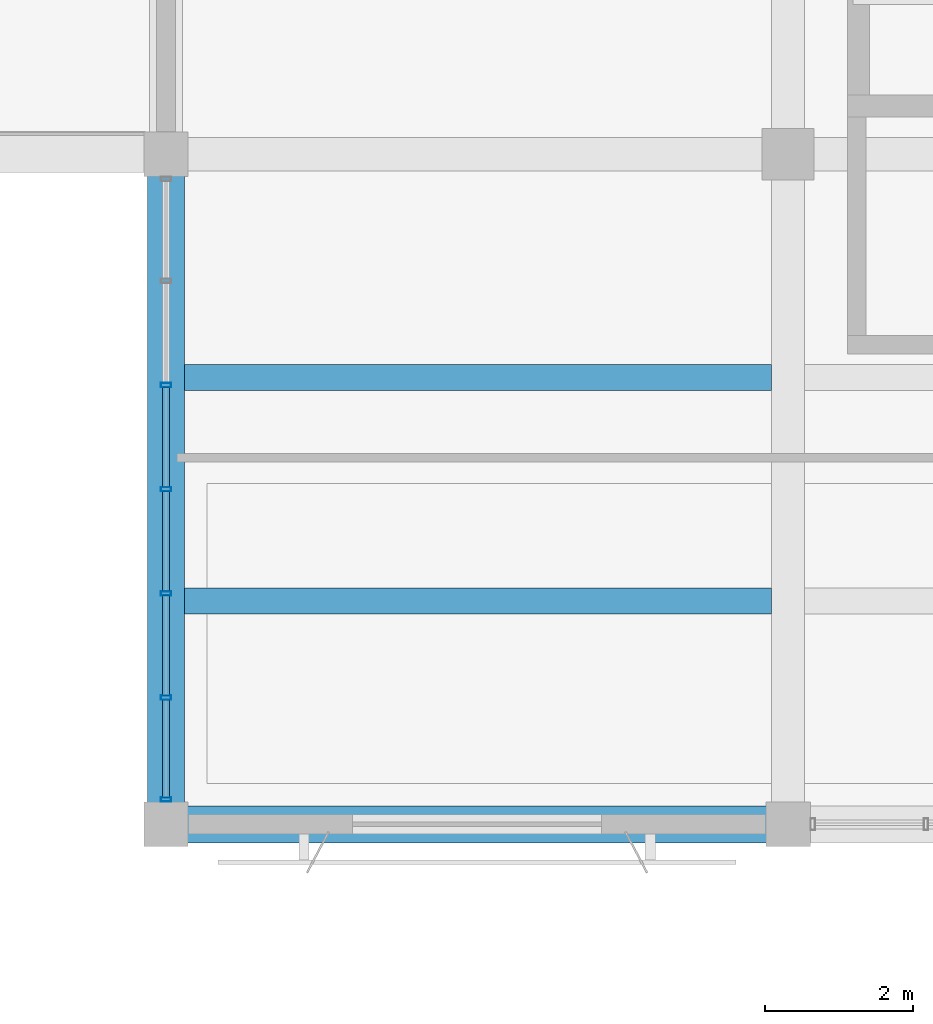
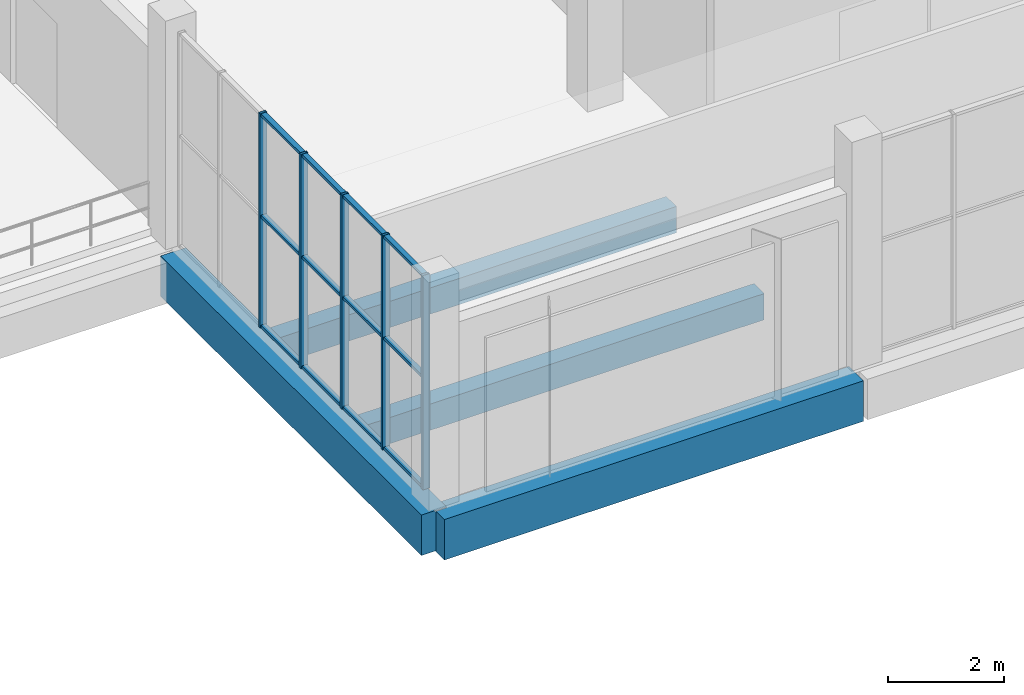
# One storey, part 27 of 80: 17 members, 4 beams, 1 element without a shape of its own.
"""IFC4 building model written with IfcOpenShell, lengths in metres."""

from ifc_helpers import new_model, si_unit, direction, frame, origin, origin_2d, place, context, subcontext, project, spatial, rectangle, hollow_rectangle, extrude, material, material_profile, profile_set, type_object, element, aggregate, save


model = new_model("IFC4")

# Units and contexts
model_context = context("Model", 3, precision=1e-05, world=origin(), true_north=direction((0.0, 1.0)))
body_context = subcontext(model_context, "Body", "Model", "MODEL_VIEW")
ifc_project = project(units=[si_unit("LENGTHUNIT", "METRE"), si_unit("AREAUNIT", "SQUARE_METRE"), si_unit("VOLUMEUNIT", "CUBIC_METRE"), si_unit("PLANEANGLEUNIT", "RADIAN"), si_unit("MASSUNIT", "GRAM", prefix="KILO")], contexts=[model_context])

# Site, building, storey
site_placement = place(None, origin())
site = spatial("IfcSite", under=ifc_project, at=site_placement, CompositionType="ELEMENT")
building_placement = place(site_placement, origin())
building = spatial("IfcBuilding", under=site, at=building_placement, Name="Khurvash Pelagic Aquarium", CompositionType="ELEMENT")
storey_placement = place(building_placement, frame((0.0, 0.0, 10.800048828125)))
storey = spatial("IfcBuildingStorey", under=building, at=storey_placement, Name="L02", CompositionType="ELEMENT", Elevation=10.800048828125)

# Curtain wall, members
ifc_material_1 = material(Name="Anodised aluminium and low-E laminated glass", Category="aluminium")
curtain_wall_type = type_object("IfcCurtainWallType", Name="CW-03", PredefinedType="USERDEFINED", material=ifc_material_1)
curtain_wall_placement = place(storey_placement, origin())
curtain_wall = element("IfcCurtainWall", 1, at=curtain_wall_placement, inside=storey, type_object=curtain_wall_type, Name="L02 Facade Unitised Curtain Wall CW-03 0169", ObjectType="UNITISED CURTAIN WALL", PredefinedType="USERDEFINED")
ifc_material_2 = material(Name="Extruded aluminium AW-6063-T6", Category="aluminium")
ifc_material_profile_1 = material_profile(ifc_material_2, hollow_rectangle(XDim=0.06005859375, YDim=0.139892578125, WallThickness=0.00390625, at=origin_2d()), Name="CWM60X140X4")
ifc_profile_set_1 = profile_set([ifc_material_profile_1], Name="Extruded aluminium AW-6063-T6")
member_type_1 = type_object("IfcMemberType", Name="CM-03", PredefinedType="MULLION", material=ifc_profile_set_1)
member_1_placement = place(storey_placement, frame((58.800048828125, 89.981689453125, 0.0), z_axis=(0.0, 0.0, 1.0), x_axis=(0.0, -1.0, 0.0)))
member_1 = element("IfcMember", 2, at=member_1_placement, type_object=member_type_1, Name="CW-03 mullion 3", PredefinedType="MULLION", context=body_context, shape_type="SweptSolid", body=[
    extrude(hollow_rectangle(XDim=0.06005859375, YDim=0.139892578125, WallThickness=0.00390625, at=origin_2d()), origin(), (0.0, 0.0, 1.0), 4.5),
])
member_2_placement = place(storey_placement, frame((58.800048828125, 88.574951171875, 0.0), z_axis=(0.0, 0.0, 1.0), x_axis=(0.0, -1.0, 0.0)))
member_2 = element("IfcMember", 3, at=member_2_placement, type_object=member_type_1, Name="CW-03 mullion 4", PredefinedType="MULLION", context=body_context, shape_type="SweptSolid", body=[
    extrude(hollow_rectangle(XDim=0.06005859375, YDim=0.139892578125, WallThickness=0.00390625, at=origin_2d()), origin(), (0.0, 0.0, 1.0), 4.5),
])
member_3_placement = place(storey_placement, frame((58.800048828125, 87.168212890625, 0.0), z_axis=(0.0, 0.0, 1.0), x_axis=(0.0, -1.0, 0.0)))
member_3 = element("IfcMember", 4, at=member_3_placement, type_object=member_type_1, Name="CW-03 mullion 5", PredefinedType="MULLION", context=body_context, shape_type="SweptSolid", body=[
    extrude(hollow_rectangle(XDim=0.06005859375, YDim=0.139892578125, WallThickness=0.00390625, at=origin_2d()), origin(), (0.0, 0.0, 1.0), 4.5),
])
member_4_placement = place(storey_placement, frame((58.800048828125, 85.76171875, 0.0), z_axis=(0.0, 0.0, 1.0), x_axis=(0.0, -1.0, 0.0)))
member_4 = element("IfcMember", 5, at=member_4_placement, type_object=member_type_1, Name="CW-03 mullion 6", PredefinedType="MULLION", context=body_context, shape_type="SweptSolid", body=[
    extrude(hollow_rectangle(XDim=0.06005859375, YDim=0.139892578125, WallThickness=0.00390625, at=origin_2d()), origin(), (0.0, 0.0, 1.0), 4.5),
])
member_5_placement = place(storey_placement, frame((58.800048828125, 84.385009765625, 0.0), z_axis=(0.0, 0.0, 1.0), x_axis=(0.0, -1.0, 0.0)))
member_5 = element("IfcMember", 6, at=member_5_placement, type_object=member_type_1, Name="CW-03 mullion 7", PredefinedType="MULLION", context=body_context, shape_type="SweptSolid", body=[
    extrude(hollow_rectangle(XDim=0.06005859375, YDim=0.139892578125, WallThickness=0.00390625, at=origin_2d()), origin(), (0.0, 0.0, 1.0), 4.5),
])
ifc_material_profile_2 = material_profile(ifc_material_2, hollow_rectangle(XDim=0.10009765625, YDim=0.06005859375, WallThickness=0.00390625, at=origin_2d()), Name="CWT100X60X4")
ifc_profile_set_2 = profile_set([ifc_material_profile_2], Name="Extruded aluminium AW-6063-T6")
member_type_2 = type_object("IfcMemberType", Name="CT-03", PredefinedType="USERDEFINED", material=ifc_profile_set_2)
member_6_placement = place(storey_placement, frame((58.800048828125, 89.95166015625, 0.030029296875), z_axis=(0.0, -1.0, 0.0), x_axis=(1.0, 0.0, 0.0)))
member_6 = element("IfcMember", 7, at=member_6_placement, type_object=member_type_2, Name="CW-03 transom 3.1", ObjectType="TRANSOM", PredefinedType="USERDEFINED", context=body_context, shape_type="SweptSolid", body=[
    extrude(hollow_rectangle(XDim=0.10009765625, YDim=0.06005859375, WallThickness=0.00390625, at=origin_2d()), origin(), (0.0, 0.0, 1.0), 1.3466796875),
])
member_7_placement = place(storey_placement, frame((58.800048828125, 89.95166015625, 2.33984375), z_axis=(0.0, -1.0, 0.0), x_axis=(1.0, 0.0, 0.0)))
member_7 = element("IfcMember", 8, at=member_7_placement, type_object=member_type_2, Name="CW-03 transom 3.2", ObjectType="TRANSOM", PredefinedType="USERDEFINED", context=body_context, shape_type="SweptSolid", body=[
    extrude(hollow_rectangle(XDim=0.10009765625, YDim=0.06005859375, WallThickness=0.00390625, at=origin_2d()), origin(), (0.0, 0.0, 1.0), 1.3466796875),
])
member_8_placement = place(storey_placement, frame((58.800048828125, 89.95166015625, 4.469970703125), z_axis=(0.0, -1.0, 0.0), x_axis=(1.0, 0.0, 0.0)))
member_8 = element("IfcMember", 9, at=member_8_placement, type_object=member_type_2, Name="CW-03 transom 3.3", ObjectType="TRANSOM", PredefinedType="USERDEFINED", context=body_context, shape_type="SweptSolid", body=[
    extrude(hollow_rectangle(XDim=0.10009765625, YDim=0.06005859375, WallThickness=0.00390625, at=origin_2d()), origin(), (0.0, 0.0, 1.0), 1.3466796875),
])
member_9_placement = place(storey_placement, frame((58.800048828125, 88.544921875, 0.030029296875), z_axis=(0.0, -1.0, 0.0), x_axis=(1.0, 0.0, 0.0)))
member_9 = element("IfcMember", 10, at=member_9_placement, type_object=member_type_2, Name="CW-03 transom 4.1", ObjectType="TRANSOM", PredefinedType="USERDEFINED", context=body_context, shape_type="SweptSolid", body=[
    extrude(hollow_rectangle(XDim=0.10009765625, YDim=0.06005859375, WallThickness=0.00390625, at=origin_2d()), origin(), (0.0, 0.0, 1.0), 1.3466796875),
])
member_10_placement = place(storey_placement, frame((58.800048828125, 88.544921875, 2.33984375), z_axis=(0.0, -1.0, 0.0), x_axis=(1.0, 0.0, 0.0)))
member_10 = element("IfcMember", 11, at=member_10_placement, type_object=member_type_2, Name="CW-03 transom 4.2", ObjectType="TRANSOM", PredefinedType="USERDEFINED", context=body_context, shape_type="SweptSolid", body=[
    extrude(hollow_rectangle(XDim=0.10009765625, YDim=0.06005859375, WallThickness=0.00390625, at=origin_2d()), origin(), (0.0, 0.0, 1.0), 1.3466796875),
])
member_11_placement = place(storey_placement, frame((58.800048828125, 88.544921875, 4.469970703125), z_axis=(0.0, -1.0, 0.0), x_axis=(1.0, 0.0, 0.0)))
member_11 = element("IfcMember", 12, at=member_11_placement, type_object=member_type_2, Name="CW-03 transom 4.3", ObjectType="TRANSOM", PredefinedType="USERDEFINED", context=body_context, shape_type="SweptSolid", body=[
    extrude(hollow_rectangle(XDim=0.10009765625, YDim=0.06005859375, WallThickness=0.00390625, at=origin_2d()), origin(), (0.0, 0.0, 1.0), 1.3466796875),
])
member_12_placement = place(storey_placement, frame((58.800048828125, 87.138427734375, 0.030029296875), z_axis=(0.0, -1.0, 0.0), x_axis=(1.0, 0.0, 0.0)))
member_12 = element("IfcMember", 13, at=member_12_placement, type_object=member_type_2, Name="CW-03 transom 5.1", ObjectType="TRANSOM", PredefinedType="USERDEFINED", context=body_context, shape_type="SweptSolid", body=[
    extrude(hollow_rectangle(XDim=0.10009765625, YDim=0.06005859375, WallThickness=0.00390625, at=origin_2d()), origin(), (0.0, 0.0, 1.0), 1.3466796875),
])
member_13_placement = place(storey_placement, frame((58.800048828125, 87.138427734375, 2.33984375), z_axis=(0.0, -1.0, 0.0), x_axis=(1.0, 0.0, 0.0)))
member_13 = element("IfcMember", 14, at=member_13_placement, type_object=member_type_2, Name="CW-03 transom 5.2", ObjectType="TRANSOM", PredefinedType="USERDEFINED", context=body_context, shape_type="SweptSolid", body=[
    extrude(hollow_rectangle(XDim=0.10009765625, YDim=0.06005859375, WallThickness=0.00390625, at=origin_2d()), origin(), (0.0, 0.0, 1.0), 1.3466796875),
])
member_14_placement = place(storey_placement, frame((58.800048828125, 87.138427734375, 4.469970703125), z_axis=(0.0, -1.0, 0.0), x_axis=(1.0, 0.0, 0.0)))
member_14 = element("IfcMember", 15, at=member_14_placement, type_object=member_type_2, Name="CW-03 transom 5.3", ObjectType="TRANSOM", PredefinedType="USERDEFINED", context=body_context, shape_type="SweptSolid", body=[
    extrude(hollow_rectangle(XDim=0.10009765625, YDim=0.06005859375, WallThickness=0.00390625, at=origin_2d()), origin(), (0.0, 0.0, 1.0), 1.3466796875),
])
member_15_placement = place(storey_placement, frame((58.800048828125, 85.731689453125, 0.030029296875), z_axis=(0.0, -1.0, 0.0), x_axis=(1.0, 0.0, 0.0)))
member_15 = element("IfcMember", 16, at=member_15_placement, type_object=member_type_2, Name="CW-03 transom 6.1", ObjectType="TRANSOM", PredefinedType="USERDEFINED", context=body_context, shape_type="SweptSolid", body=[
    extrude(hollow_rectangle(XDim=0.10009765625, YDim=0.06005859375, WallThickness=0.00390625, at=origin_2d()), origin(), (0.0, 0.0, 1.0), 1.316650390625),
])
member_16_placement = place(storey_placement, frame((58.800048828125, 85.731689453125, 2.33984375), z_axis=(0.0, -1.0, 0.0), x_axis=(1.0, 0.0, 0.0)))
member_16 = element("IfcMember", 17, at=member_16_placement, type_object=member_type_2, Name="CW-03 transom 6.2", ObjectType="TRANSOM", PredefinedType="USERDEFINED", context=body_context, shape_type="SweptSolid", body=[
    extrude(hollow_rectangle(XDim=0.10009765625, YDim=0.06005859375, WallThickness=0.00390625, at=origin_2d()), origin(), (0.0, 0.0, 1.0), 1.316650390625),
])
member_17_placement = place(storey_placement, frame((58.800048828125, 85.731689453125, 4.469970703125), z_axis=(0.0, -1.0, 0.0), x_axis=(1.0, 0.0, 0.0)))
member_17 = element("IfcMember", 18, at=member_17_placement, type_object=member_type_2, Name="CW-03 transom 6.3", ObjectType="TRANSOM", PredefinedType="USERDEFINED", context=body_context, shape_type="SweptSolid", body=[
    extrude(hollow_rectangle(XDim=0.10009765625, YDim=0.06005859375, WallThickness=0.00390625, at=origin_2d()), origin(), (0.0, 0.0, 1.0), 1.316650390625),
])
aggregate(curtain_wall, [member_1, member_2, member_3, member_4, member_5, member_6, member_7, member_8, member_9, member_10, member_11, member_12, member_13, member_14, member_15, member_16, member_17])

# Beams
ifc_material_3 = material(Name="Concrete C35/45", Category="concrete")
ifc_material_profile_3 = material_profile(ifc_material_3, rectangle(XDim=0.35009765625, YDim=0.550048828125, at=origin_2d()), Name="RC350X550")
ifc_profile_set_3 = profile_set([ifc_material_profile_3], Name="Concrete C35/45")
beam_type_1 = type_object("IfcBeamType", Name="JS-01", PredefinedType="JOIST", material=ifc_profile_set_3)
for number, where, z_axis, x_axis, name in (
    (19, (59.050048828125, 87.06689453125, -0.574951171875), (1.0, 0.0, 0.0), (0.0, 1.0, 0.0), "L02 Floor Joist JS-01 00777"),
    (20, (59.050048828125, 90.0830078125, -0.574951171875), (1.0, 0.0, 0.0), (0.0, 1.0, 0.0), "L02 Floor Joist JS-01 00778"),
):
    element("IfcBeam", number, at=place(storey_placement, frame(where, z_axis=z_axis, x_axis=x_axis)), inside=storey, type_object=beam_type_1, Name=name, PredefinedType="JOIST", context=body_context, shape_type="SweptSolid", body=[
        extrude(rectangle(XDim=0.35009765625, YDim=0.550048828125, at=origin_2d()), origin(), (0.0, 0.0, 1.0), 7.925048828125),
    ])
ifc_material_4 = material(Name="Concrete C40/50", Category="concrete")
ifc_material_profile_4 = material_profile(ifc_material_4, rectangle(XDim=0.5, YDim=0.85009765625, at=origin_2d()), Name="RC500X850")
ifc_profile_set_4 = profile_set([ifc_material_profile_4], Name="Concrete C40/50")
beam_type_2 = type_object("IfcBeamType", Name="SEB-03", PredefinedType="SPANDREL", material=ifc_profile_set_4)
beam_1_placement = place(storey_placement, frame((58.840087890625, 84.050048828125, -0.7451171875), z_axis=(1.0, 0.0, 0.0), x_axis=(0.0, 1.0, 0.0)))
element("IfcBeam", 21, at=beam_1_placement, inside=storey, type_object=beam_type_2, Name="L02 Primary Girder SEB-03 00616", PredefinedType="SPANDREL", context=body_context, shape_type="SweptSolid", body=[
    extrude(rectangle(XDim=0.5, YDim=0.85009765625, at=origin_2d()), origin(), (0.0, 0.0, 1.0), 8.31982421875),
])
beam_2_placement = place(storey_placement, frame((58.800048828125, 84.090087890625, -0.72509765625), z_axis=(0.0, 1.0, 0.0), x_axis=(-1.0, 0.0, 0.0)))
element("IfcBeam", 22, at=beam_2_placement, inside=storey, type_object=beam_type_2, Name="L02 Primary Girder SEB-03 00684", PredefinedType="SPANDREL", context=body_context, shape_type="SweptSolid", body=[
    extrude(rectangle(XDim=0.5, YDim=0.85009765625, at=origin_2d()), origin(), (0.0, 0.0, 1.0), 8.969970703125),
])

save(model, "model.ifc")
